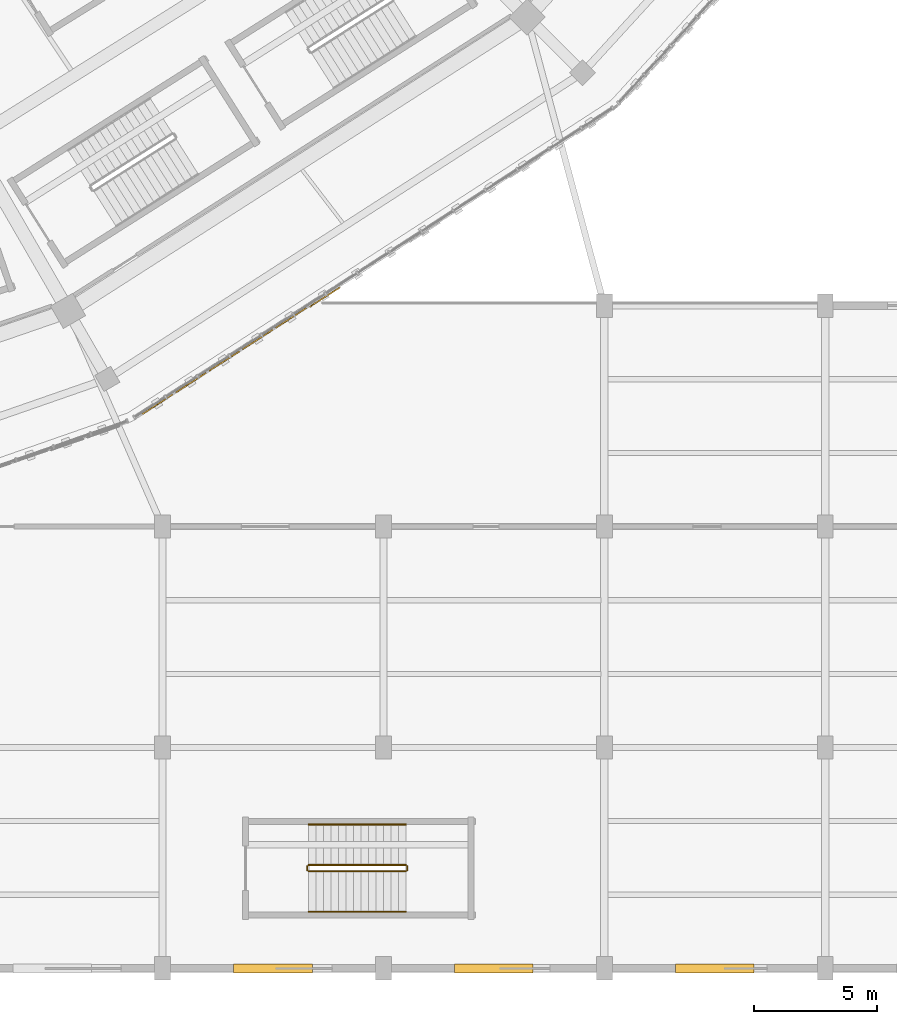
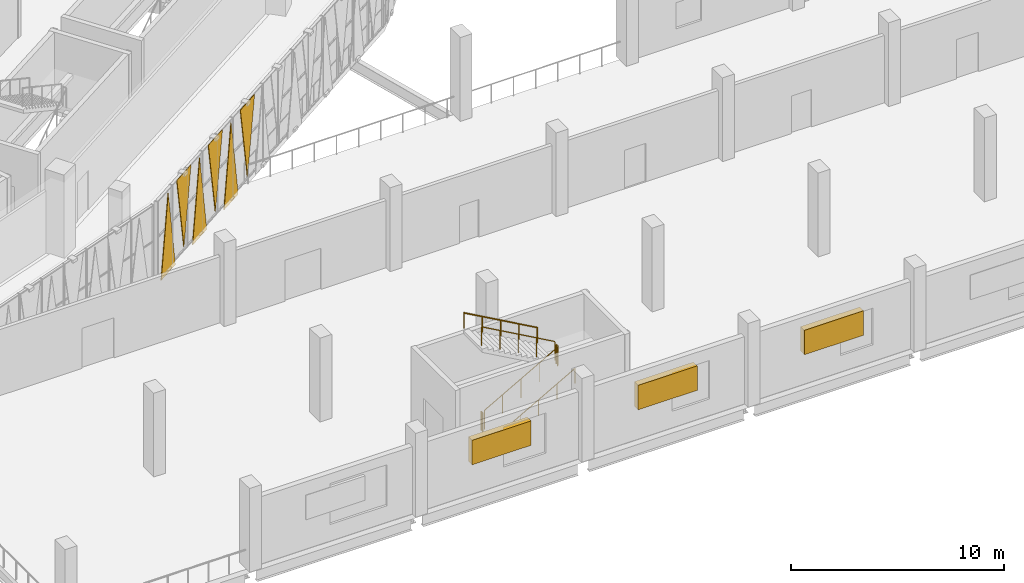
# One storey, part 144 of 179: 6 coverings, 6 railings, 3 shading devices.
"""IFC4 building model written with IfcOpenShell, lengths in metres."""

from ifc_helpers import new_model, si_unit, direction, frame, origin, origin_2d, place, context, subcontext, project, spatial, polyline, rectangle, circle, outline, extrude, material, layer, layer_set, type_object, element, save


model = new_model("IFC4")

# Units and contexts
model_context = context("Model", 3, precision=1e-05, world=origin(), true_north=direction((0.0, 1.0)))
body_context = subcontext(model_context, "Body", "Model", "MODEL_VIEW")
ifc_project = project(units=[si_unit("LENGTHUNIT", "METRE"), si_unit("AREAUNIT", "SQUARE_METRE"), si_unit("VOLUMEUNIT", "CUBIC_METRE"), si_unit("PLANEANGLEUNIT", "RADIAN"), si_unit("MASSUNIT", "GRAM", prefix="KILO")], contexts=[model_context])

# Site, building, storey
site_placement = place(None, origin())
site = spatial("IfcSite", under=ifc_project, at=site_placement, CompositionType="ELEMENT")
building_placement = place(site_placement, origin())
building = spatial("IfcBuilding", under=site, at=building_placement, Name="Zevraka Park Crest Stadium", CompositionType="ELEMENT")
storey_placement = place(building_placement, frame((0.0, 0.0, 10.199951171875)))
storey = spatial("IfcBuildingStorey", under=building, at=storey_placement, Name="L02", CompositionType="ELEMENT", Elevation=10.199951171875)

# Coverings
ifc_material_1 = material(Name="Architectural golden-bronze perforated aluminium", Category="aluminium")
ifc_layer_1 = layer(ifc_material_1, 0.034912109375)
ifc_layer_set_1 = layer_set([ifc_layer_1], Name="Architectural golden-bronze perforated aluminium")
covering_type = type_object("IfcCoveringType", Name="CLD01", PredefinedType="CLADDING", material=ifc_layer_set_1)
covering_1_placement = place(storey_placement, frame((160.195068359375, 22.572998046875, -0.239990234375), z_axis=(0.543285997877, -0.839547690307, 1.4543474e-05), x_axis=(0.839547690396, 0.543285997934, 0.0)))
element("IfcCovering", 1, at=covering_1_placement, inside=storey, type_object=covering_type, Name="Triangular Golden-Bronze Perforated Cladding L02-20-1", PredefinedType="CLADDING", context=body_context, shape_type="SweptSolid", body=[
    extrude(outline(polyline([(0.0, 0.0), (1.457781335266565, -1.6940658945086007e-21), (0.7287881837843572, 4.560058594232255), (0.0, 0.0)])), origin(), (0.0, 0.0, -1.0), 0.034912109375),
])
covering_2_placement = place(storey_placement, frame((162.778076171875, 24.243896484375, 4.47998046875), z_axis=(0.543209619056, -0.839597111575, 0.0), x_axis=(-0.839597111575, -0.543209619056, 0.0)))
element("IfcCovering", 2, at=covering_2_placement, inside=storey, type_object=covering_type, Name="Triangular Golden-Bronze Perforated Cladding L02-20-2", PredefinedType="CLADDING", context=body_context, shape_type="SweptSolid", body=[
    extrude(outline(polyline([(0.0, 0.0), (1.4579863089976983, 0.0), (0.7289931544988492, 4.260009765625), (0.0, 0.0)])), origin(), (0.0, 0.0, -1.0), 0.034912109375),
])
covering_3_placement = place(storey_placement, frame((162.9130859375, 24.3310546875, -0.239990234375), z_axis=(0.543285997877, -0.839547690307, 1.4543474e-05), x_axis=(0.839547690396, 0.543285997934, 0.0)))
element("IfcCovering", 3, at=covering_3_placement, inside=storey, type_object=covering_type, Name="Triangular Golden-Bronze Perforated Cladding L02-20-3", PredefinedType="CLADDING", context=body_context, shape_type="SweptSolid", body=[
    extrude(outline(polyline([(0.0, 0.0), (1.457781335266565, -1.6940658945086007e-21), (0.7287881837843572, 4.560058594232255), (0.0, 0.0)])), origin(), (0.0, 0.0, -1.0), 0.034912109375),
])
covering_4_placement = place(storey_placement, frame((165.49609375, 26.0009765625, 4.47998046875), z_axis=(0.542904272256, -0.839794586369, 6.2227551e-05), x_axis=(-0.839794587995, -0.542904273307, 0.0)))
element("IfcCovering", 4, at=covering_4_placement, inside=storey, type_object=covering_type, Name="Triangular Golden-Bronze Perforated Cladding L02-20-4", PredefinedType="CLADDING", context=body_context, shape_type="SweptSolid", body=[
    extrude(outline(polyline([(0.0, 0.0), (1.458806324503112, 0.0), (0.7289931063003867, 4.260009773872949), (0.0, 0.0)])), origin(), (0.0, 0.0, -1.0), 0.034912109375),
])
covering_5_placement = place(storey_placement, frame((165.6298828125, 26.087890625, -0.239990234375), z_axis=(0.54290427239, -0.839794586576, 5.813302e-05), x_axis=(0.839794587995, 0.542904273307, 0.0)))
element("IfcCovering", 5, at=covering_5_placement, inside=storey, type_object=covering_type, Name="Triangular Golden-Bronze Perforated Cladding L02-20-5", PredefinedType="CLADDING", context=body_context, shape_type="SweptSolid", body=[
    extrude(outline(polyline([(0.0, 0.0), (1.458806324503112, 0.0), (0.7289931063003867, 4.56005860145524), (0.0, 0.0)])), origin(), (0.0, 0.0, -1.0), 0.034912109375),
])
covering_6_placement = place(storey_placement, frame((168.214111328125, 27.759033203125, 4.47998046875), z_axis=(-0.542904272256, 0.839794586369, 6.2227551e-05), x_axis=(-0.839794587995, -0.542904273307, 0.0)))
element("IfcCovering", 6, at=covering_6_placement, inside=storey, type_object=covering_type, Name="Triangular Golden-Bronze Perforated Cladding L02-20-6", PredefinedType="CLADDING", context=body_context, shape_type="SweptSolid", body=[
    extrude(outline(polyline([(0.0, 0.0), (1.458806324503112, 0.0), (0.729813218202725, -4.260009773872949), (0.0, 0.0)])), origin(), (0.0, 0.0, -1.0), 0.034912109375),
])

# Railings
ifc_material_2 = material(Name="Powder-coated tubular steel stairwell guard", Category="steel")
railing_type_1 = type_object("IfcRailingType", Name="GR03", PredefinedType="GUARDRAIL", material=ifc_material_2)
railing_1_placement = place(storey_placement, frame((166.949951171875, 3.949951171875, 0.17138671875)))
element("IfcRailing", 7, at=railing_1_placement, inside=storey, type_object=railing_type_1, Name="L02 ST53 stair guard 1", PredefinedType="GUARDRAIL", context=body_context, shape_type="SweptSolid", body=[
    extrude(circle(Radius=0.02392578125, at=origin_2d()), frame((0.0, 0.0, 1.076171875), z_axis=(0.871726007364, 0.0, 0.489993640861), x_axis=(0.0, 1.0, 0.0)), (0.0, 0.0, 1.0), 4.548583984375),
    extrude(circle(Radius=0.02099609375, at=origin_2d()), origin(), (0.0, 0.0, 1.0), 1.052001953125),
    extrude(circle(Radius=0.02099609375, at=origin_2d()), frame((0.9912109375, 0.0, 0.55712890625)), (0.0, 0.0, 1.0), 1.052001953125),
    extrude(circle(Radius=0.02099609375, at=origin_2d()), frame((1.982421875, 0.0, 1.1142578125)), (0.0, 0.0, 1.0), 1.052001953125),
    extrude(circle(Radius=0.02099609375, at=origin_2d()), frame((2.973876953125, 0.0, 1.671630859375)), (0.0, 0.0, 1.0), 1.052001953125),
    extrude(circle(Radius=0.02099609375, at=origin_2d()), frame((3.965087890625, 0.0, 2.228759765625)), (0.0, 0.0, 1.0), 1.052001953125),
])
railing_2_placement = place(storey_placement, frame((170.965087890625, 4.0, 2.400146484375)))
element("IfcRailing", 8, at=railing_2_placement, inside=storey, type_object=railing_type_1, Name="L02 ST53 stair guard 2", PredefinedType="GUARDRAIL", context=body_context, shape_type="SweptSolid", body=[
    extrude(circle(Radius=0.02392578125, at=origin_2d()), frame((0.0, 0.0, 1.076171875), z_axis=(0.0, 1.0, 0.0), x_axis=(-1.0, 0.0, 0.0)), (0.0, 0.0, 1.0), 0.159912109375),
    extrude(circle(Radius=0.02099609375, at=origin_2d()), origin(), (0.0, 0.0, 1.0), 1.052001953125),
    extrude(circle(Radius=0.02099609375, at=origin_2d()), frame((0.0, 0.159912109375, 0.0)), (0.0, 0.0, 1.0), 1.052001953125),
])
railing_3_placement = place(storey_placement, frame((170.9150390625, 4.2099609375, 2.571533203125)))
element("IfcRailing", 9, at=railing_3_placement, inside=storey, type_object=railing_type_1, Name="L02 ST53 stair guard 3", PredefinedType="GUARDRAIL", context=body_context, shape_type="SweptSolid", body=[
    extrude(circle(Radius=0.02392578125, at=origin_2d()), frame((0.0, 0.0, 1.076171875), z_axis=(-0.871748933509, 0.0, 0.489952851738), x_axis=(0.0, -1.0, 0.0)), (0.0, 0.0, 1.0), 4.54833984375),
    extrude(circle(Radius=0.02099609375, at=origin_2d()), origin(), (0.0, 0.0, 1.0), 1.052001953125),
    extrude(circle(Radius=0.02099609375, at=origin_2d()), frame((-0.9912109375, 0.0, 0.55712890625)), (0.0, 0.0, 1.0), 1.052001953125),
    extrude(circle(Radius=0.02099609375, at=origin_2d()), frame((-1.982421875, 0.0, 1.1142578125)), (0.0, 0.0, 1.0), 1.052001953125),
    extrude(circle(Radius=0.02099609375, at=origin_2d()), frame((-2.973876953125, 0.0, 1.67138671875)), (0.0, 0.0, 1.0), 1.052001953125),
    extrude(circle(Radius=0.02099609375, at=origin_2d()), frame((-3.965087890625, 0.0, 2.228515625)), (0.0, 0.0, 1.0), 1.052001953125),
])
railing_4_placement = place(storey_placement, frame((166.89990234375, 4.0, 0.0)))
element("IfcRailing", 10, at=railing_4_placement, inside=storey, type_object=railing_type_1, Name="L02 ST53 stair guard 4", PredefinedType="GUARDRAIL", context=body_context, shape_type="SweptSolid", body=[
    extrude(circle(Radius=0.02392578125, at=origin_2d()), frame((0.0, 0.0, 1.076171875), z_axis=(0.0, 1.0, 0.0), x_axis=(-1.0, 0.0, 0.0)), (0.0, 0.0, 1.0), 0.159912109375),
    extrude(circle(Radius=0.02099609375, at=origin_2d()), origin(), (0.0, 0.0, 1.0), 1.052001953125),
    extrude(circle(Radius=0.02099609375, at=origin_2d()), frame((0.0, 0.159912109375, 0.0)), (0.0, 0.0, 1.0), 1.052001953125),
])
ifc_material_3 = material(Name="Brushed stainless steel continuous handrail", Category="steel")
railing_type_2 = type_object("IfcRailingType", Name="HR01", PredefinedType="HANDRAIL", material=ifc_material_3)
railing_5_placement = place(storey_placement, frame((166.949951171875, 2.300048828125, 0.17138671875)))
element("IfcRailing", 11, at=railing_5_placement, inside=storey, type_object=railing_type_2, Name="L02 ST53 stair handrail 1", PredefinedType="HANDRAIL", context=body_context, shape_type="SweptSolid", body=[
    extrude(circle(Radius=0.02392578125, at=origin_2d()), frame((0.0, 0.0, 0.8759765625), z_axis=(0.871726007364, 0.0, 0.489993640861), x_axis=(0.0, 1.0, 0.0)), (0.0, 0.0, 1.0), 4.548583984375),
    extrude(circle(Radius=0.02099609375, at=origin_2d()), origin(), (0.0, 0.0, 1.0), 0.851806640625),
    extrude(circle(Radius=0.02099609375, at=origin_2d()), frame((0.9912109375, 0.0, 0.55712890625)), (0.0, 0.0, 1.0), 0.851806640625),
    extrude(circle(Radius=0.02099609375, at=origin_2d()), frame((1.982421875, 0.0, 1.1142578125)), (0.0, 0.0, 1.0), 0.851806640625),
    extrude(circle(Radius=0.02099609375, at=origin_2d()), frame((2.973876953125, 0.0, 1.671630859375)), (0.0, 0.0, 1.0), 0.851806640625),
    extrude(circle(Radius=0.02099609375, at=origin_2d()), frame((3.965087890625, 0.0, 2.228759765625)), (0.0, 0.0, 1.0), 0.851806640625),
])
railing_6_placement = place(storey_placement, frame((170.9150390625, 5.860107421875, 2.571533203125)))
element("IfcRailing", 12, at=railing_6_placement, inside=storey, type_object=railing_type_2, Name="L02 ST53 stair handrail 2", PredefinedType="HANDRAIL", context=body_context, shape_type="SweptSolid", body=[
    extrude(circle(Radius=0.02392578125, at=origin_2d()), frame((0.0, 0.0, 0.8759765625), z_axis=(-0.871748933509, 0.0, 0.489952851738), x_axis=(0.0, -1.0, 0.0)), (0.0, 0.0, 1.0), 4.54833984375),
    extrude(circle(Radius=0.02099609375, at=origin_2d()), origin(), (0.0, 0.0, 1.0), 0.851806640625),
    extrude(circle(Radius=0.02099609375, at=origin_2d()), frame((-0.9912109375, 0.0, 0.55712890625)), (0.0, 0.0, 1.0), 0.851806640625),
    extrude(circle(Radius=0.02099609375, at=origin_2d()), frame((-1.982421875, 0.0, 1.1142578125)), (0.0, 0.0, 1.0), 0.851806640625),
    extrude(circle(Radius=0.02099609375, at=origin_2d()), frame((-2.973876953125, 0.0, 1.67138671875)), (0.0, 0.0, 1.0), 0.851806640625),
    extrude(circle(Radius=0.02099609375, at=origin_2d()), frame((-3.965087890625, 0.0, 2.228515625)), (0.0, 0.0, 1.0), 0.851806640625),
])

# Shading devices
ifc_material_4 = material(Name="Terracotta and bronze acoustic ventilation louvre", Category="masonry")
ifc_layer_2 = layer(ifc_material_4, 0.080078125)
ifc_layer_set_2 = layer_set([ifc_layer_2], Name="Terracotta and bronze acoustic ventilation louvre")
shading_device_type = type_object("IfcShadingDeviceType", Name="LVR01", PredefinedType="USERDEFINED", material=ifc_layer_set_2)
for number, where, z_axis, x_axis, name in (
    (13, (183.5, 0.0, 1.7001953125), (0.0, 0.0, 1.0), (-1.0, 0.0, 0.0), "Plant Ventilation Louvre LVR01 L02-5"),
    (14, (174.5, 0.0, 1.7001953125), (0.0, 0.0, 1.0), (-1.0, 0.0, 0.0), "Plant Ventilation Louvre LVR01 L02-6"),
    (15, (165.5, 0.0, 1.7001953125), (0.0, 0.0, 1.0), (-1.0, 0.0, 0.0), "Plant Ventilation Louvre LVR01 L02-7"),
):
    element("IfcShadingDevice", number, at=place(storey_placement, frame(where, z_axis=z_axis, x_axis=x_axis)), inside=storey, type_object=shading_device_type, Name=name, ObjectType="LOUVRE", PredefinedType="USERDEFINED", context=body_context, shape_type="SweptSolid", body=[
        extrude(rectangle(XDim=3.199951171875, YDim=0.360107421875, at=origin_2d()), origin(), (0.0, 0.0, 1.0), 1.39990234375),
    ])

save(model, "model.ifc")
